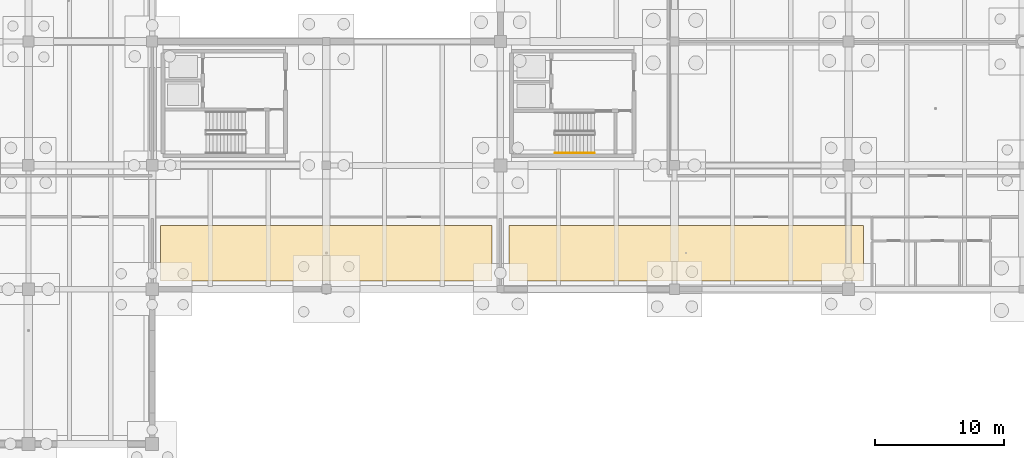
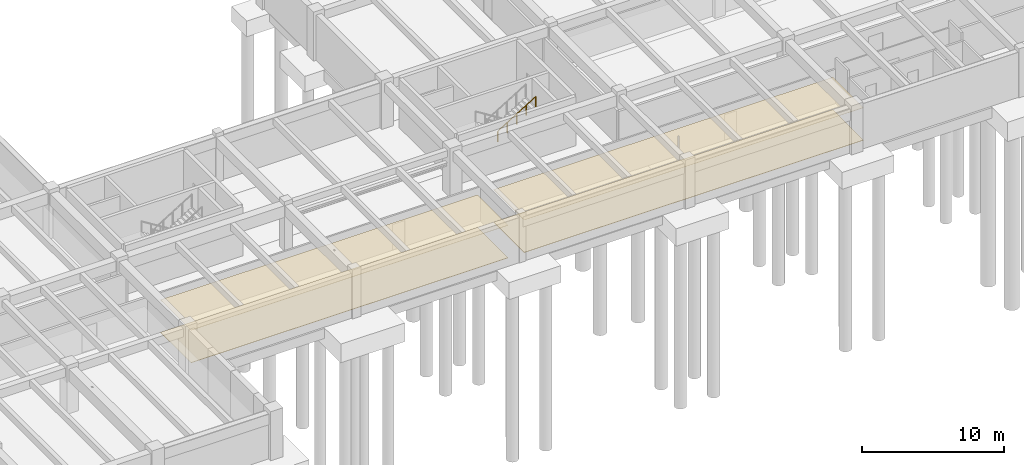
# One storey, part 32 of 41: 4 coverings, 1 railing.
"""IFC4 building model written with IfcOpenShell, lengths in metres."""

from ifc_helpers import new_model, si_unit, direction, frame, origin, origin_2d, place, context, subcontext, project, spatial, polyline, circle, outline, extrude, material, layer, layer_set, type_object, element, save


model = new_model("IFC4")

# Units and contexts
model_context = context("Model", 3, precision=1e-05, world=origin(), true_north=direction((0.0, 1.0)))
body_context = subcontext(model_context, "Body", "Model", "MODEL_VIEW")
ifc_project = project(units=[si_unit("LENGTHUNIT", "METRE"), si_unit("AREAUNIT", "SQUARE_METRE"), si_unit("VOLUMEUNIT", "CUBIC_METRE"), si_unit("PLANEANGLEUNIT", "RADIAN"), si_unit("MASSUNIT", "GRAM", prefix="KILO")], contexts=[model_context])

# Site, building, storey
site_placement = place(None, origin())
site = spatial("IfcSite", under=ifc_project, at=site_placement, CompositionType="ELEMENT")
building_placement = place(site_placement, origin())
building = spatial("IfcBuilding", under=site, at=building_placement, Name="Fikremerkos Civic Library", CompositionType="ELEMENT")
storey_placement = place(building_placement, frame((0.0, 0.0, -8.39990234375)))
storey = spatial("IfcBuildingStorey", under=building, at=storey_placement, Name="B02", CompositionType="ELEMENT", Elevation=-8.39990234375)

# Coverings
ifc_material_1 = material(Name="Perforated acoustic cedar timber", Category="wood")
ifc_layer_1 = layer(ifc_material_1, 0.02490234375, Name="Perforated acoustic cedar timber")
ifc_layer_set_1 = layer_set([ifc_layer_1], Name="Perforated acoustic cedar timber")
covering_type_1 = type_object("IfcCoveringType", Name="Acoustic perforated timber ceiling CLG-01", PredefinedType="CEILING", material=ifc_layer_set_1)
covering_1_placement = place(storey_placement, frame((0.0, 0.0, 2.789794921875)))
element("IfcCovering", 1, at=covering_1_placement, inside=storey, type_object=covering_type_1, Name="Acoustic ceiling Archival Conservation Laboratory", PredefinedType="CEILING", context=body_context, shape_type="SweptSolid", body=[
    extrude(outline(polyline([(19.85009765625, 12.64990234375), (19.85009765625, 16.949951171875), (45.550048828125, 16.949951171875), (45.550048828125, 12.64990234375), (19.85009765625, 12.64990234375)])), origin(), (0.0, 0.0, 1.0), 0.025146484375),
])
covering_2_placement = place(storey_placement, frame((0.0, 0.0, 2.789794921875)))
element("IfcCovering", 2, at=covering_2_placement, inside=storey, type_object=covering_type_1, Name="Acoustic ceiling Digitization and Microfilm Studio", PredefinedType="CEILING", context=body_context, shape_type="SweptSolid", body=[
    extrude(outline(polyline([(46.85009765625, 12.64990234375), (46.85009765625, 16.949951171875), (74.35009765625, 16.949951171875), (74.35009765625, 12.64990234375), (46.85009765625, 12.64990234375)])), origin(), (0.0, 0.0, 1.0), 0.025146484375),
])
ifc_material_2 = material(Name="Polished basalt terrazzo", Category="masonry")
ifc_layer_2 = layer(ifc_material_2, 0.030029296875, Name="Polished basalt terrazzo")
ifc_layer_set_2 = layer_set([ifc_layer_2], Name="Polished basalt terrazzo")
covering_type_2 = type_object("IfcCoveringType", Name="Polished basalt terrazzo flooring FLR-01", PredefinedType="FLOORING", material=ifc_layer_set_2)
covering_3_placement = place(storey_placement, origin())
element("IfcCovering", 3, at=covering_3_placement, inside=storey, type_object=covering_type_2, Name="Terrazzo floor finish Archival Conservation Laboratory", PredefinedType="FLOORING", context=body_context, shape_type="SweptSolid", body=[
    extrude(outline(polyline([(19.85009765625, 12.64990234375), (19.85009765625, 16.949951171875), (45.550048828125, 16.949951171875), (45.550048828125, 12.64990234375), (19.85009765625, 12.64990234375)])), origin(), (0.0, 0.0, 1.0), 0.02978515625),
])
covering_4_placement = place(storey_placement, origin())
element("IfcCovering", 4, at=covering_4_placement, inside=storey, type_object=covering_type_2, Name="Terrazzo floor finish Digitization and Microfilm Studio", PredefinedType="FLOORING", context=body_context, shape_type="SweptSolid", body=[
    extrude(outline(polyline([(46.85009765625, 12.64990234375), (46.85009765625, 16.949951171875), (74.35009765625, 16.949951171875), (74.35009765625, 12.64990234375), (46.85009765625, 12.64990234375)])), origin(), (0.0, 0.0, 1.0), 0.02978515625),
])

# Railing
ifc_material_3 = material(Name="Brushed stainless steel", Category="steel")
railing_type = type_object("IfcRailingType", Name="Wall and flight handrail HRL-01 900", PredefinedType="HANDRAIL", material=ifc_material_3)
railing_placement = place(storey_placement, frame((50.419921875, 22.550048828125, 2.27490234375)))
element("IfcRailing", 5, at=railing_placement, inside=storey, type_object=railing_type, Name="B02 ST-K3 stair handrail 2", PredefinedType="HANDRAIL", context=body_context, shape_type="SweptSolid", body=[
    extrude(circle(Radius=0.02392578125, at=origin_2d()), frame((0.0, 0.0, 0.8759765625), z_axis=(0.847998304005, 0.0, 0.529998940003), x_axis=(0.0, 1.0, 0.0)), (0.0, 0.0, 1.0), 3.632080078125),
    extrude(circle(Radius=0.02099609375, at=origin_2d()), origin(), (0.0, 0.0, 1.0), 0.851806640625),
    extrude(circle(Radius=0.02099609375, at=origin_2d()), frame((0.77001953125, 0.0, 0.481201171875)), (0.0, 0.0, 1.0), 0.851806640625),
    extrude(circle(Radius=0.02099609375, at=origin_2d()), frame((1.5400390625, 0.0, 0.96240234375)), (0.0, 0.0, 1.0), 0.851806640625),
    extrude(circle(Radius=0.02099609375, at=origin_2d()), frame((2.31005859375, 0.0, 1.44384765625)), (0.0, 0.0, 1.0), 0.851806640625),
    extrude(circle(Radius=0.02099609375, at=origin_2d()), frame((3.080078125, 0.0, 1.925048828125)), (0.0, 0.0, 1.0), 0.851806640625),
])

save(model, "model.ifc")
